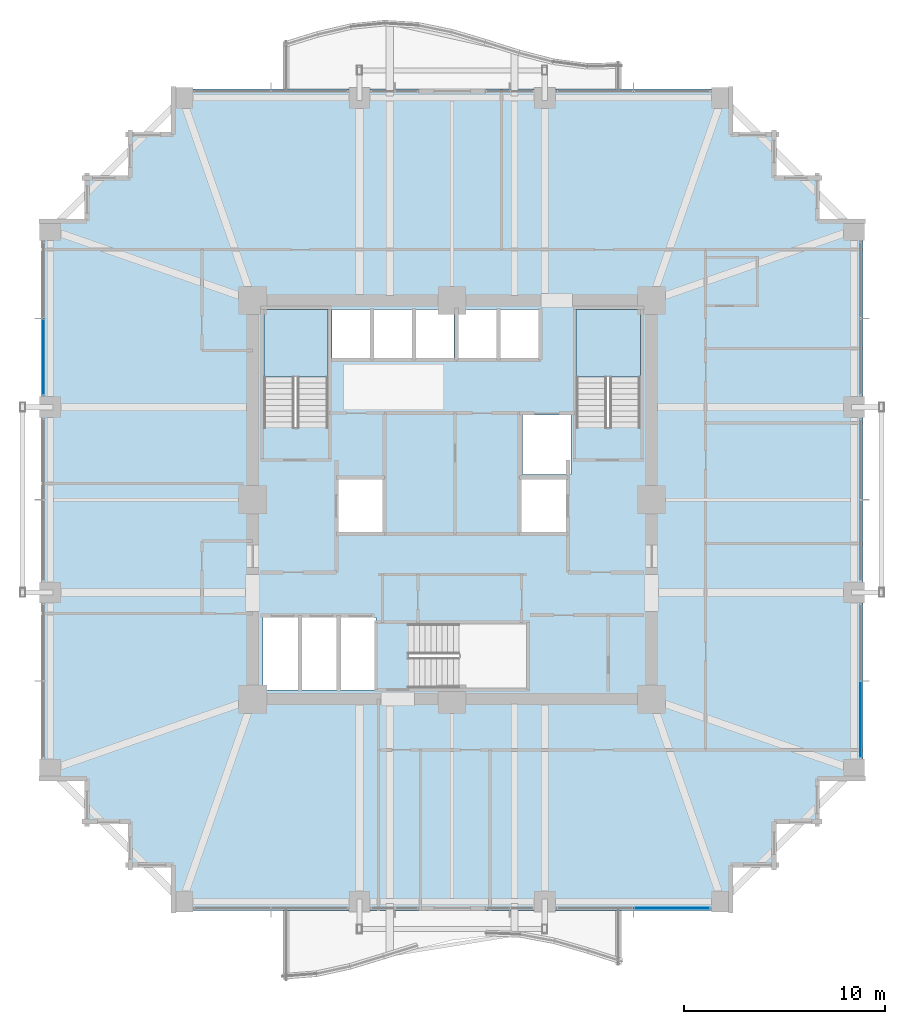
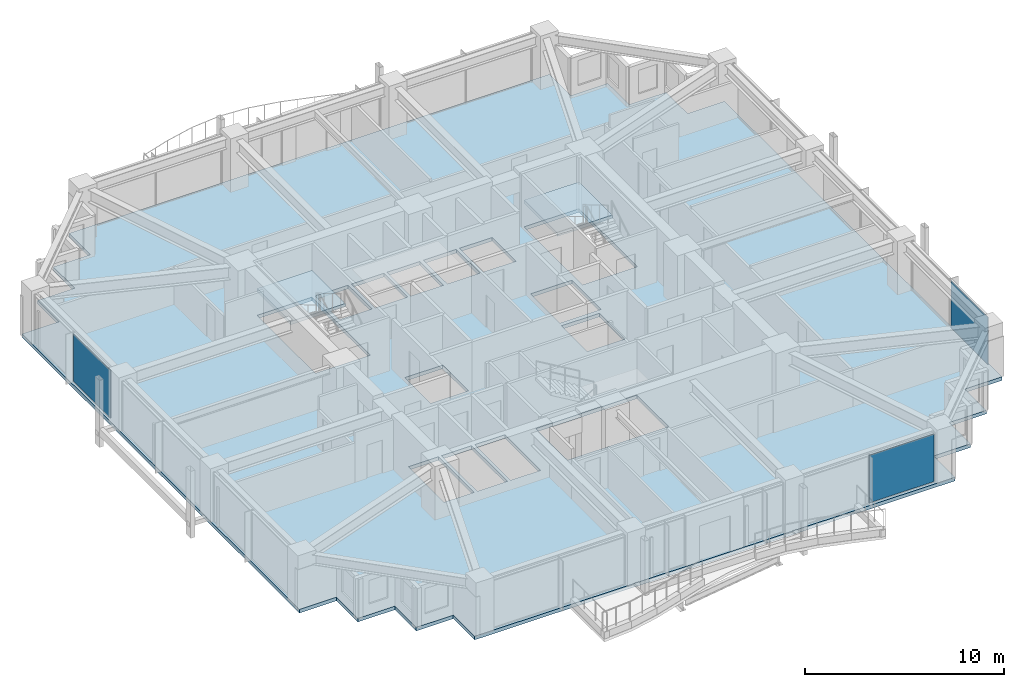
# One storey, part 28 of 38: 3 plates, 3 slabs, 5 elements without a shape of their own.
"""IFC4 building model written with IfcOpenShell, lengths in metres."""

from ifc_helpers import new_model, si_unit, direction, frame, origin, origin_2d, place, context, subcontext, project, spatial, polyline, rectangle, outline, extrude, material, layer, layer_set, type_object, element, aggregate, save


model = new_model("IFC4")

# Units and contexts
model_context = context("Model", 3, precision=1e-05, world=origin(), true_north=direction((0.0, 1.0)))
body_context = subcontext(model_context, "Body", "Model", "MODEL_VIEW")
ifc_project = project(units=[si_unit("LENGTHUNIT", "METRE"), si_unit("AREAUNIT", "SQUARE_METRE"), si_unit("VOLUMEUNIT", "CUBIC_METRE"), si_unit("PLANEANGLEUNIT", "RADIAN"), si_unit("MASSUNIT", "GRAM", prefix="KILO")], contexts=[model_context])

# Site, building, storey
site_placement = place(None, origin())
site = spatial("IfcSite", under=ifc_project, at=site_placement, CompositionType="ELEMENT")
building_placement = place(site_placement, origin())
building = spatial("IfcBuilding", under=site, at=building_placement, Name="Kolvaren Belvedere", CompositionType="ELEMENT")
storey_placement = place(building_placement, frame((0.0, 0.0, 72.199951171875)))
storey = spatial("IfcBuildingStorey", under=building, at=storey_placement, Name="L20", CompositionType="ELEMENT", Elevation=72.199951171875)

# Curtain wall, plate
ifc_material_1 = material(Name="Anodised pale-metal aluminium AA 6063-T6", Category="aluminium")
curtain_wall_type = type_object("IfcCurtainWallType", Name="CW-Z2-MID", PredefinedType="NOTDEFINED", material=ifc_material_1)
curtain_wall_1_placement = place(storey_placement, origin())
curtain_wall_1 = element("IfcCurtainWall", 1, at=curtain_wall_1_placement, inside=storey, type_object=curtain_wall_type, Name="L20 Unitised Curtain Wall FCW-L20-S1-B1", PredefinedType="NOTDEFINED")
ifc_material_2 = material(Name="Low-iron triple insulated glass", Category="glass")
ifc_layer_1 = layer(ifc_material_2, 0.028076171875)
ifc_layer_set_1 = layer_set([ifc_layer_1], Name="Low-iron triple insulated glass")
plate_type = type_object("IfcPlateType", Name="CW-PNL-VIS28", PredefinedType="CURTAIN_PANEL", material=ifc_layer_set_1)
plate_1_placement = place(storey_placement, frame((10.9111328125, -20.280029296875, 0.080078125), z_axis=(0.0, 0.0, 1.0), x_axis=(-1.0, 0.0, 0.0)))
plate_1 = element("IfcPlate", 2, at=plate_1_placement, type_object=plate_type, Name="FCW-L20-S1-B1 Vision Glazing Panel 1", PredefinedType="CURTAIN_PANEL", context=body_context, shape_type="SweptSolid", body=[
    extrude(rectangle(XDim=3.742431640625, YDim=0.028076171875, at=origin_2d()), origin(), (0.0, 0.0, 1.0), 2.919921875),
])
aggregate(curtain_wall_1, [plate_1])

curtain_wall_2_placement = place(storey_placement, origin())
curtain_wall_2 = element("IfcCurtainWall", 3, at=curtain_wall_2_placement, inside=storey, type_object=curtain_wall_type, Name="L20 Unitised Curtain Wall FCW-L20-E-B3", PredefinedType="NOTDEFINED")
plate_2_placement = place(storey_placement, frame((20.280029296875, -10.9111328125, 0.080078125), z_axis=(0.0, 0.0, 1.0), x_axis=(0.0, -1.0, 0.0)))
plate_2 = element("IfcPlate", 4, at=plate_2_placement, type_object=plate_type, Name="FCW-L20-E-B3 Vision Glazing Panel 2", PredefinedType="CURTAIN_PANEL", context=body_context, shape_type="SweptSolid", body=[
    extrude(rectangle(XDim=3.742431640625, YDim=0.028076171875, at=origin_2d()), origin(), (0.0, 0.0, 1.0), 2.919921875),
])
aggregate(curtain_wall_2, [plate_2])

curtain_wall_3_placement = place(storey_placement, origin())
curtain_wall_3 = element("IfcCurtainWall", 5, at=curtain_wall_3_placement, inside=storey, type_object=curtain_wall_type, Name="L20 Unitised Curtain Wall FCW-L20-W-B3", PredefinedType="NOTDEFINED")
plate_3_placement = place(storey_placement, frame((-20.280029296875, 7.0888671875, 0.080078125), z_axis=(0.0, 0.0, 1.0), x_axis=(0.0, 1.0, 0.0)))
plate_3 = element("IfcPlate", 6, at=plate_3_placement, type_object=plate_type, Name="FCW-L20-W-B3 Vision Glazing Panel 1", PredefinedType="CURTAIN_PANEL", context=body_context, shape_type="SweptSolid", body=[
    extrude(rectangle(XDim=3.742431640625, YDim=0.028076171875, at=origin_2d()), origin(), (0.0, 0.0, 1.0), 2.919921875),
])
aggregate(curtain_wall_3, [plate_3])

# Slab
ifc_material_3 = material(Name="Concrete C50/60", Category="concrete")
ifc_layer_2 = layer(ifc_material_3, 0.219970703125)
ifc_layer_set_2 = layer_set([ifc_layer_2], Name="Concrete C50/60")
slab_type_1 = type_object("IfcSlabType", Name="SL-FLR-220", PredefinedType="FLOOR", material=ifc_layer_set_2)
slab_1_placement = place(storey_placement, frame((0.0, 0.0, -0.219970703125)))
element("IfcSlab", 7, at=slab_1_placement, inside=storey, type_object=slab_type_1, Name="L20 Primary Structural Slab", PredefinedType="FLOOR", context=body_context, shape_type="SweptSolid", body=[
    extrude(outline(polyline([(-13.949951171875, -20.39990234375), (13.949951171875, -20.39990234375), (13.949951171875, -18.25), (16.10009765625, -18.25), (16.10009765625, -16.10009765625), (18.25, -16.10009765625), (18.25, -13.949951171875), (20.39990234375, -13.949951171875), (20.39990234375, 13.949951171875), (18.25, 13.949951171875), (18.25, 16.10009765625), (16.10009765625, 16.10009765625), (16.10009765625, 18.25), (13.949951171875, 18.25), (13.949951171875, 20.39990234375), (-13.949951171875, 20.39990234375), (-13.949951171875, 18.25), (-16.10009765625, 18.25), (-16.10009765625, 16.10009765625), (-18.25, 16.10009765625), (-18.25, 13.949951171875), (-20.39990234375, 13.949951171875), (-20.39990234375, -13.949951171875), (-18.25, -13.949951171875), (-18.25, -16.10009765625), (-16.10009765625, -16.10009765625), (-16.10009765625, -18.25), (-13.949951171875, -18.25), (-13.949951171875, -20.39990234375)]), holes=[polyline([(-9.35009765625, 3.580078125), (-6.159912109375, 3.580078125), (-6.159912109375, 9.449951171875), (-9.35009765625, 9.449951171875), (-9.35009765625, 3.580078125)]), polyline([(6.159912109375, 3.580078125), (9.35009765625, 3.580078125), (9.35009765625, 9.449951171875), (6.159912109375, 9.449951171875), (6.159912109375, 3.580078125)]), polyline([(-2.169921875, -9.35009765625), (3.699951171875, -9.35009765625), (3.699951171875, -6.159912109375), (-2.169921875, -6.159912109375), (-2.169921875, -9.35009765625)]), polyline([(-5.64990234375, -1.60009765625), (-3.449951171875, -1.60009765625), (-3.449951171875, 1.0), (-5.64990234375, 1.0), (-5.64990234375, -1.60009765625)]), polyline([(3.5, 1.25), (5.89990234375, 1.25), (5.89990234375, 4.199951171875), (3.5, 4.199951171875), (3.5, 1.25)]), polyline([(3.449951171875, -1.60009765625), (5.64990234375, -1.60009765625), (5.64990234375, 1.0), (3.449951171875, 1.0), (3.449951171875, -1.60009765625)]), polyline([(-5.9599609375, 7.050048828125), (-4.06005859375, 7.050048828125), (-4.06005859375, 9.449951171875), (-5.9599609375, 9.449951171875), (-5.9599609375, 7.050048828125)]), polyline([(-3.8798828125, 7.050048828125), (-1.97998046875, 7.050048828125), (-1.97998046875, 9.449951171875), (-3.8798828125, 9.449951171875), (-3.8798828125, 7.050048828125)]), polyline([(-1.800048828125, 7.050048828125), (0.10009765625, 7.050048828125), (0.10009765625, 9.449951171875), (-1.800048828125, 9.449951171875), (-1.800048828125, 7.050048828125)]), polyline([(-9.39990234375, -9.449951171875), (-7.64990234375, -9.449951171875), (-7.64990234375, -5.85009765625), (-9.39990234375, -5.85009765625), (-9.39990234375, -9.449951171875)]), polyline([(-7.469970703125, -9.449951171875), (-5.719970703125, -9.449951171875), (-5.719970703125, -5.85009765625), (-7.469970703125, -5.85009765625), (-7.469970703125, -9.449951171875)]), polyline([(-5.5400390625, -9.449951171875), (-3.7900390625, -9.449951171875), (-3.7900390625, -5.85009765625), (-5.5400390625, -5.85009765625), (-5.5400390625, -9.449951171875)]), polyline([(0.320068359375, 7.050048828125), (2.219970703125, 7.050048828125), (2.219970703125, 9.449951171875), (0.320068359375, 9.449951171875), (0.320068359375, 7.050048828125)]), polyline([(2.39990234375, 7.050048828125), (4.300048828125, 7.050048828125), (4.300048828125, 9.449951171875), (2.39990234375, 9.449951171875), (2.39990234375, 7.050048828125)])]), origin(), (0.0, 0.0, 1.0), 0.219970703125),
])

# Stair, slab
ifc_material_4 = material(Name="Concrete C50/60", Category="concrete")
stair_type = type_object("IfcStairType", Name="ST-CORE-1520", PredefinedType="HALF_TURN_STAIR", material=ifc_material_4)
stair_1_placement = place(storey_placement, origin())
stair_1 = element("IfcStair", 8, at=stair_1_placement, inside=storey, type_object=stair_type, Name="L20 Protected Exit Stair ST-1", PredefinedType="HALF_TURN_STAIR")
ifc_material_5 = material(Name="Concrete C50/60", Category="concrete")
ifc_layer_3 = layer(ifc_material_5, 0.260009765625)
ifc_layer_set_3 = layer_set([ifc_layer_3], Name="Concrete C50/60")
slab_type_2 = type_object("IfcSlabType", Name="SL-LAND-260", PredefinedType="LANDING", material=ifc_layer_set_3)
slab_2_placement = place(storey_placement, frame((0.0, 0.0, 1.449951171875)))
slab_2 = element("IfcSlab", 9, at=slab_2_placement, type_object=slab_type_2, Name="ST-1 landing 1", PredefinedType="LANDING", context=body_context, shape_type="SweptSolid", body=[
    extrude(outline(polyline([(-6.159912109375, 6.090087890625), (-6.159912109375, 9.449951171875), (-9.35009765625, 9.449951171875), (-9.35009765625, 6.090087890625), (-6.159912109375, 6.090087890625)])), origin(), (0.0, 0.0, 1.0), 0.2001953125),
])
aggregate(stair_1, [slab_2])

stair_2_placement = place(storey_placement, origin())
stair_2 = element("IfcStair", 10, at=stair_2_placement, inside=storey, type_object=stair_type, Name="L20 Protected Exit Stair ST-2", PredefinedType="HALF_TURN_STAIR")
slab_3_placement = place(storey_placement, frame((0.0, 0.0, 1.449951171875)))
slab_3 = element("IfcSlab", 11, at=slab_3_placement, type_object=slab_type_2, Name="ST-2 landing 1", PredefinedType="LANDING", context=body_context, shape_type="SweptSolid", body=[
    extrude(outline(polyline([(9.35009765625, 6.090087890625), (9.35009765625, 9.449951171875), (6.159912109375, 9.449951171875), (6.159912109375, 6.090087890625), (9.35009765625, 6.090087890625)])), origin(), (0.0, 0.0, 1.0), 0.2001953125),
])
aggregate(stair_2, [slab_3])

save(model, "model.ifc")
